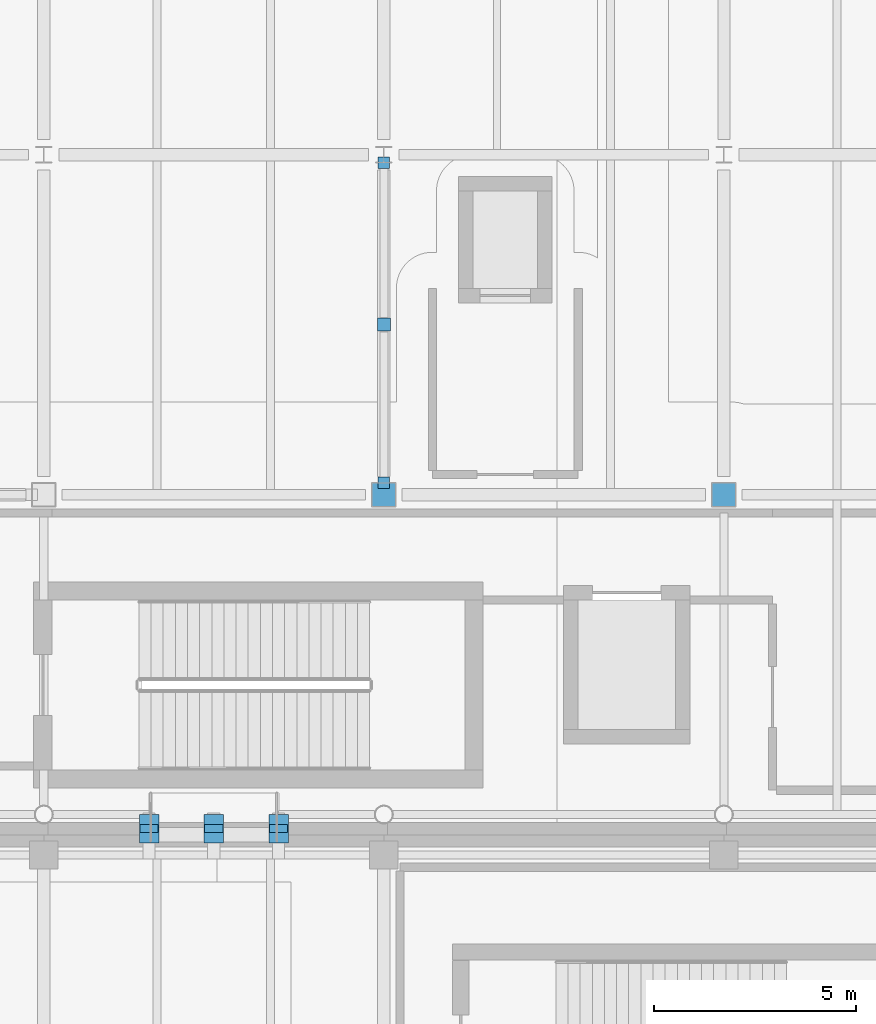
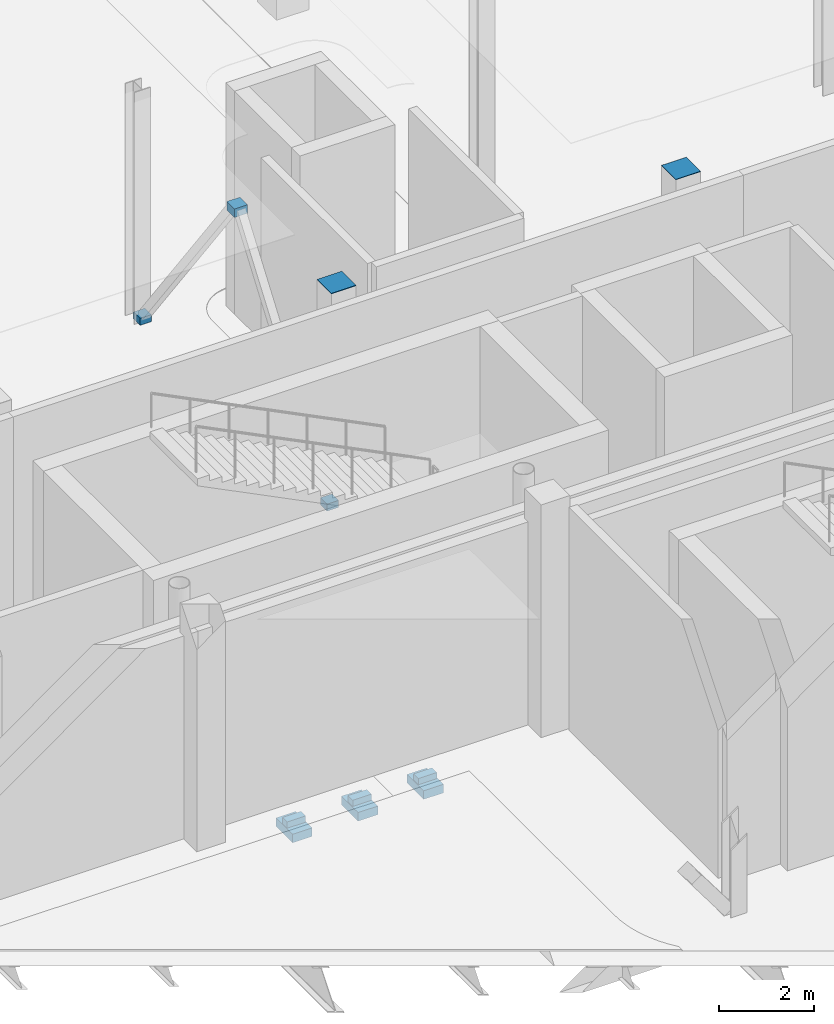
# One storey, part 63 of 85: 11 discrete accessories.
"""IFC4 building model written with IfcOpenShell, lengths in metres."""

from ifc_helpers import new_model, si_unit, direction, frame, origin, origin_2d, place, context, subcontext, project, spatial, rectangle, extrude, material, type_object, element, save


model = new_model("IFC4")

# Units and contexts
model_context = context("Model", 3, precision=1e-05, world=origin(), true_north=direction((0.0, 1.0)))
body_context = subcontext(model_context, "Body", "Model", "MODEL_VIEW")
ifc_project = project(units=[si_unit("LENGTHUNIT", "METRE"), si_unit("AREAUNIT", "SQUARE_METRE"), si_unit("VOLUMEUNIT", "CUBIC_METRE"), si_unit("PLANEANGLEUNIT", "RADIAN"), si_unit("MASSUNIT", "GRAM", prefix="KILO"), si_unit("THERMODYNAMICTEMPERATUREUNIT", "KELVIN")], contexts=[model_context])

# Site, building, storey
site_placement = place(None, origin())
site = spatial("IfcSite", under=ifc_project, at=site_placement, CompositionType="ELEMENT")
building_placement = place(site_placement, origin())
building = spatial("IfcBuilding", under=site, at=building_placement, Name="Lustrewick Department Store", CompositionType="ELEMENT")
storey_placement = place(building_placement, origin())
storey = spatial("IfcBuildingStorey", under=building, at=storey_placement, Name="L01", CompositionType="ELEMENT", Elevation=0.0)

# Discrete accessories
ifc_material = material(Name="Structural steel Q355C", Category="steel")
discrete_accessory_type_1 = type_object("IfcDiscreteAccessoryType", Name="GUS-NODE", PredefinedType="BRACKET", material=ifc_material)
for number, where, z_axis, x_axis, name in (
    (1, (134.39990234375, 59.10009765625, 0.06005859375), (0.0, 0.0, 1.0), (1.0, 0.0, 0.0), "L01 V4 Brace Base Gusset Plate"),
    (2, (134.39990234375, 67.0, 0.06005859375), (0.0, 0.0, 1.0), (1.0, 0.0, 0.0), "L01 V4 Brace Base Gusset Plate"),
):
    element("IfcDiscreteAccessory", number, at=place(storey_placement, frame(where, z_axis=z_axis, x_axis=x_axis)), inside=storey, type_object=discrete_accessory_type_1, Name=name, PredefinedType="BRACKET", context=body_context, shape_type="SweptSolid", body=[
        extrude(rectangle(XDim=0.280029296875, YDim=0.280029296875, at=origin_2d()), origin(), (0.0, 0.0, 1.0), 0.179931640625),
    ])
discrete_accessory_placement = place(storey_placement, frame((134.39990234375, 63.0, 5.28515625), z_axis=(0.0, 0.0, 1.0), x_axis=(1.0, 0.0, 0.0)))
element("IfcDiscreteAccessory", 3, at=discrete_accessory_placement, inside=storey, type_object=discrete_accessory_type_1, Name="L01 V4 Chevron Brace Apex Gusset Plate", PredefinedType="BRACKET", context=body_context, shape_type="SweptSolid", body=[
    extrude(rectangle(XDim=0.320068359375, YDim=0.320068359375, at=origin_2d()), origin(), (0.0, 0.0, 1.0), 0.219970703125),
])
discrete_accessory_type_2 = type_object("IfcDiscreteAccessoryType", Name="SB-CORBEL", PredefinedType="BRACKET", material=ifc_material)
for number, where, z_axis, x_axis, name in (
    (4, (128.60009765625, 50.550048828125, -1.11279296875), (0.0, 0.0, 1.0), (1.0, 0.0, 0.0), "L01 Skybridge SB34 700 mm Bearing Seat Corbel 1"),
    (5, (130.199951171875, 50.550048828125, -1.11279296875), (0.0, 0.0, 1.0), (1.0, 0.0, 0.0), "L01 Skybridge SB34 700 mm Bearing Seat Corbel 2"),
    (6, (131.800048828125, 50.550048828125, -1.11279296875), (0.0, 0.0, 1.0), (1.0, 0.0, 0.0), "L01 Skybridge SB34 700 mm Bearing Seat Corbel 3"),
):
    element("IfcDiscreteAccessory", number, at=place(storey_placement, frame(where, z_axis=z_axis, x_axis=x_axis)), inside=storey, type_object=discrete_accessory_type_2, Name=name, PredefinedType="BRACKET", context=body_context, shape_type="SweptSolid", body=[
        extrude(rectangle(XDim=0.47998046875, YDim=0.699951171875, at=origin_2d()), origin(), (0.0, 0.0, 1.0), 0.219970703125),
    ])
discrete_accessory_type_3 = type_object("IfcDiscreteAccessoryType", Name="SB-PTFE", PredefinedType="BRACKET", material=ifc_material)
for number, where, z_axis, x_axis, name in (
    (7, (128.60009765625, 50.550048828125, -0.89306640625), (0.0, 0.0, 1.0), (1.0, 0.0, 0.0), "L01 Skybridge SB34 PTFE Sliding Bearing 1"),
    (8, (130.199951171875, 50.550048828125, -0.89306640625), (0.0, 0.0, 1.0), (1.0, 0.0, 0.0), "L01 Skybridge SB34 PTFE Sliding Bearing 2"),
    (9, (131.800048828125, 50.550048828125, -0.89306640625), (0.0, 0.0, 1.0), (1.0, 0.0, 0.0), "L01 Skybridge SB34 PTFE Sliding Bearing 3"),
):
    element("IfcDiscreteAccessory", number, at=place(storey_placement, frame(where, z_axis=z_axis, x_axis=x_axis)), inside=storey, type_object=discrete_accessory_type_3, Name=name, PredefinedType="BRACKET", context=body_context, shape_type="SweptSolid", body=[
        extrude(rectangle(XDim=0.449951171875, YDim=0.199951171875, at=origin_2d()), origin(), (0.0, 0.0, 1.0), 0.159912109375),
    ])
discrete_accessory_type_4 = type_object("IfcDiscreteAccessoryType", Name="ECP-01", PredefinedType="USERDEFINED", material=ifc_material)
for number, where, z_axis, x_axis, name in (
    (10, (142.800048828125, 58.800048828125, 5.993896484375), (0.0, 0.0, 1.0), (1.0, 0.0, 0.0), "L01 Welded Hollow-Section End-Cap Plate ECP-01"),
    (11, (134.39990234375, 58.800048828125, 5.993896484375), (0.0, 0.0, 1.0), (1.0, 0.0, 0.0), "L01 Welded Hollow-Section End-Cap Plate ECP-01"),
):
    element("IfcDiscreteAccessory", number, at=place(storey_placement, frame(where, z_axis=z_axis, x_axis=x_axis)), inside=storey, type_object=discrete_accessory_type_4, Name=name, ObjectType="END_CAP_PLATE", PredefinedType="USERDEFINED", context=body_context, shape_type="SweptSolid", body=[
        extrude(rectangle(XDim=0.60009765625, YDim=0.60009765625, at=origin_2d()), origin(), (0.0, 0.0, 1.0), 0.01611328125),
    ])

save(model, "model.ifc")
